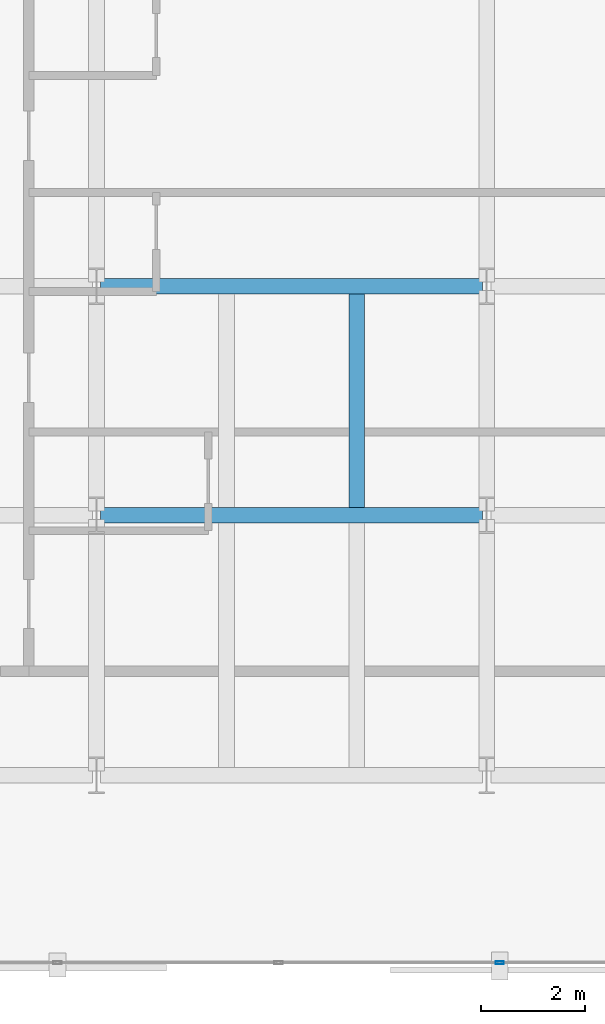
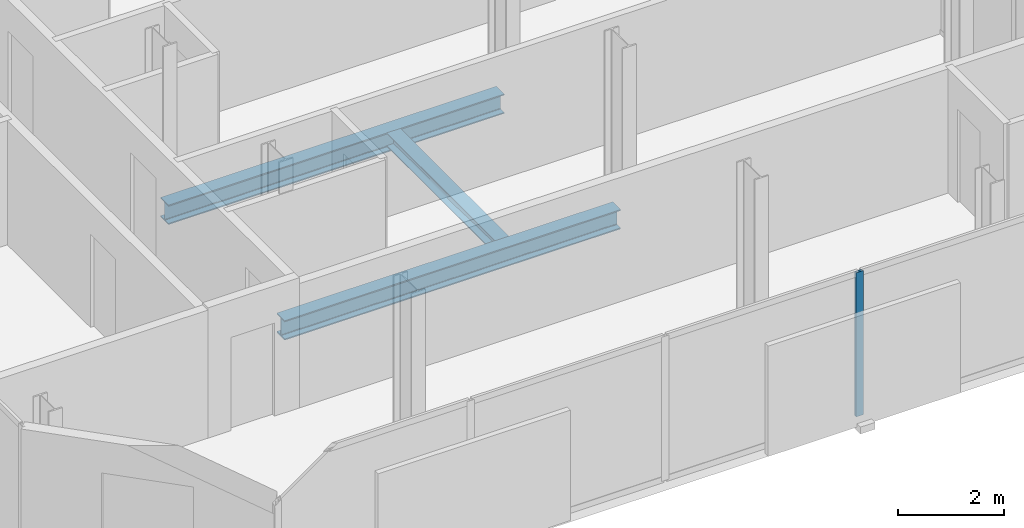
# One storey, part 6 of 32: 3 beams, 1 member, 1 element without a shape of its own.
"""IFC4 building model written with IfcOpenShell, lengths in metres."""

from ifc_helpers import new_model, si_unit, direction, frame, origin, origin_2d, place, context, subcontext, project, spatial, hollow_rectangle, i_section, extrude, material, layer, layer_set, material_profile, profile_set, type_object, element, aggregate, save


model = new_model("IFC4")

# Units and contexts
model_context = context("Model", 3, precision=1e-05, world=origin(), true_north=direction((0.0, 1.0)))
body_context = subcontext(model_context, "Body", "Model", "MODEL_VIEW")
ifc_project = project(units=[si_unit("LENGTHUNIT", "METRE"), si_unit("AREAUNIT", "SQUARE_METRE"), si_unit("VOLUMEUNIT", "CUBIC_METRE"), si_unit("PLANEANGLEUNIT", "RADIAN"), si_unit("MASSUNIT", "GRAM", prefix="KILO")], contexts=[model_context])

# Site, building, storey
site_placement = place(None, origin())
site = spatial("IfcSite", under=ifc_project, at=site_placement, CompositionType="ELEMENT")
building_placement = place(site_placement, origin())
building = spatial("IfcBuilding", under=site, at=building_placement, Name="Catumbela Crestline Tower", CompositionType="ELEMENT")
storey_placement = place(building_placement, frame((0.0, 0.0, 122.4)))
storey = spatial("IfcBuildingStorey", under=building, at=storey_placement, Name="L31", CompositionType="ELEMENT", Elevation=122.4)

# Beams
ifc_material_1 = material(Name="Structural steel S355J2", Category="steel")
ifc_material_profile_1 = material_profile(ifc_material_1, i_section(OverallWidth=0.3, OverallDepth=0.45, WebThickness=0.014, FlangeThickness=0.026, FilletRadius=0.027, at=origin_2d()), Name="HEB 450")
ifc_profile_set_1 = profile_set([ifc_material_profile_1], Name="Structural steel S355J2")
beam_type_1 = type_object("IfcBeamType", Name="BG-HEB450", PredefinedType="BEAM", material=ifc_profile_set_1)
for number, where, z_axis, x_axis, name in (
    (1, (8.58, 13.6, -0.485), (1.0, 0.0, 0.0), (0.0, 1.0, 0.0), "L31 Beam BM-L31-WEW47"),
    (2, (8.58, 18.0, -0.485), (1.0, 0.0, 0.0), (0.0, 1.0, 0.0), "L31 Beam BM-L31-WEW50"),
):
    element("IfcBeam", number, at=place(storey_placement, frame(where, z_axis=z_axis, x_axis=x_axis)), inside=storey, type_object=beam_type_1, Name=name, PredefinedType="BEAM", context=body_context, shape_type="SweptSolid", body=[
        extrude(i_section(OverallWidth=0.3, OverallDepth=0.45, WebThickness=0.014, FlangeThickness=0.026, FilletRadius=0.027, at=origin_2d()), origin(), (0.0, 0.0, 1.0), 7.34),
    ])
ifc_material_profile_2 = material_profile(ifc_material_1, i_section(OverallWidth=0.3, OverallDepth=0.31, WebThickness=0.009, FlangeThickness=0.0155, FilletRadius=0.027, at=origin_2d()), Name="HEA 320")
ifc_profile_set_2 = profile_set([ifc_material_profile_2], Name="Structural steel S355J2")
beam_type_2 = type_object("IfcBeamType", Name="BJ-HEA320", PredefinedType="JOIST", material=ifc_profile_set_2)
beam_placement = place(storey_placement, frame((13.5, 13.747, -0.415), z_axis=(0.0, 1.0, 0.0), x_axis=(-1.0, 0.0, 0.0)))
element("IfcBeam", 3, at=beam_placement, inside=storey, type_object=beam_type_2, Name="L31 Joist JS-L31-WG72", PredefinedType="JOIST", context=body_context, shape_type="SweptSolid", body=[
    extrude(i_section(OverallWidth=0.3, OverallDepth=0.31, WebThickness=0.009, FlangeThickness=0.0155, FilletRadius=0.027, at=origin_2d()), origin(), (0.0, 0.0, 1.0), 4.106),
])

# Curtain wall, member
ifc_material_2 = material(Name="Aluminium alloy AW-6060-T66", Category="aluminium")
ifc_layer = layer(ifc_material_2, 0.18, Name="Aluminium alloy AW-6060-T66")
ifc_layer_set = layer_set([ifc_layer], Name="Aluminium alloy AW-6060-T66")
curtain_wall_type = type_object("IfcCurtainWallType", Name="CWU-Z2", PredefinedType="USERDEFINED", material=ifc_layer_set)
curtain_wall_placement = place(storey_placement, origin())
curtain_wall = element("IfcCurtainWall", 4, at=curtain_wall_placement, inside=storey, type_object=curtain_wall_type, Name="L31 Unitised Curtain Wall CW-L31-E0S1", ObjectType="UNITISED", PredefinedType="USERDEFINED")
ifc_material_profile_3 = material_profile(ifc_material_2, hollow_rectangle(XDim=0.06, YDim=0.16, WallThickness=0.004, at=origin_2d()), Name="ALU 160x60x4")
ifc_profile_set_3 = profile_set([ifc_material_profile_3], Name="Aluminium alloy AW-6060-T66")
member_type = type_object("IfcMemberType", Name="MUL-160X60", PredefinedType="MULLION", material=ifc_profile_set_3)
member_placement = place(storey_placement, frame((16.25, 5.0, 0.0), z_axis=(0.0, 0.0, 1.0), x_axis=(0.0, 1.0, 0.0)))
member = element("IfcMember", 5, at=member_placement, type_object=member_type, Name="CWU-Z2 mullion 4", PredefinedType="MULLION", context=body_context, shape_type="SweptSolid", body=[
    extrude(hollow_rectangle(XDim=0.06, YDim=0.16, WallThickness=0.004, at=origin_2d()), origin(), (0.0, 0.0, 1.0), 3.33),
])
aggregate(curtain_wall, [member])

save(model, "model.ifc")
